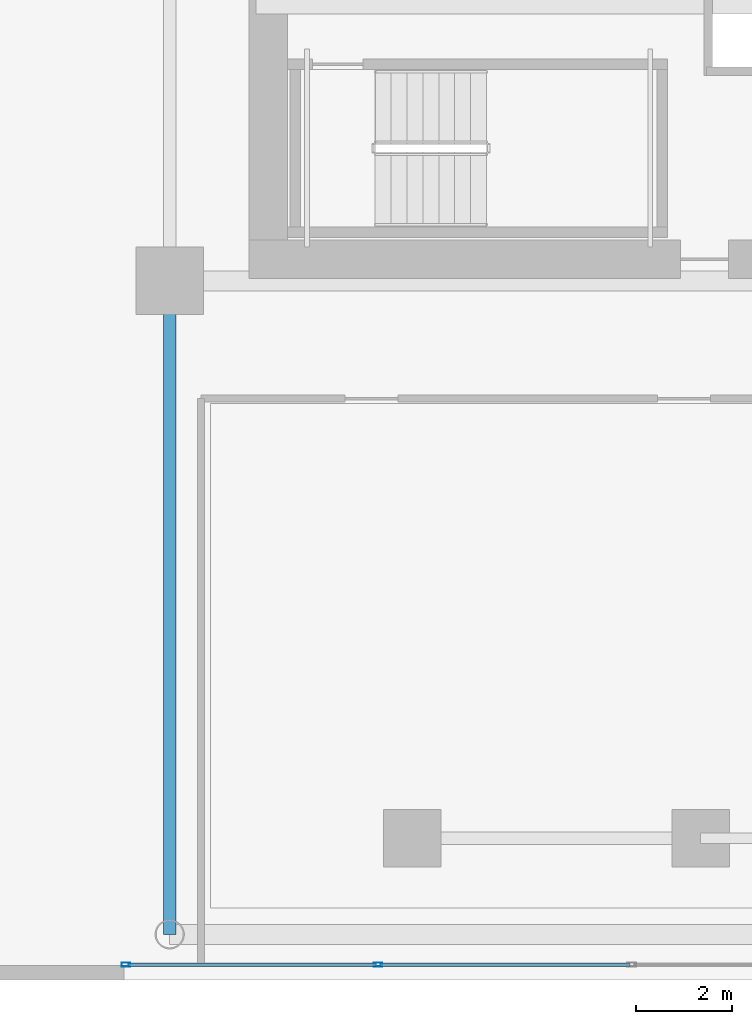
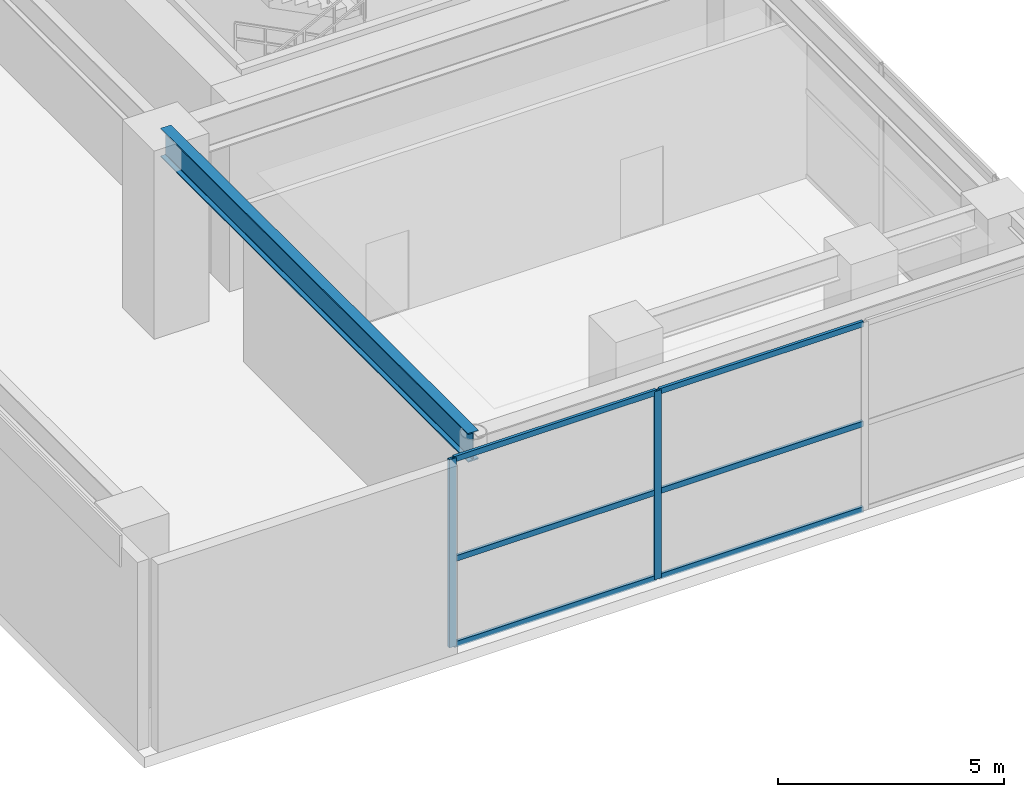
# One storey, part 3 of 29: 8 members, 1 beam, 1 element without a shape of its own.
"""IFC4 building model written with IfcOpenShell, lengths in metres."""

from ifc_helpers import new_model, si_unit, direction, frame, origin, origin_2d, place, context, subcontext, project, spatial, hollow_rectangle, i_section, extrude, source, transform, mapped, material, layer, layer_set, material_profile, profile_set, type_object, element, aggregate, save


model = new_model("IFC4")

# Units and contexts
model_context = context("Model", 3, precision=1e-05, world=origin(), true_north=direction((0.0, 1.0)))
body_context = subcontext(model_context, "Body", "Model", "MODEL_VIEW")
ifc_project = project(units=[si_unit("LENGTHUNIT", "METRE"), si_unit("AREAUNIT", "SQUARE_METRE"), si_unit("VOLUMEUNIT", "CUBIC_METRE"), si_unit("PLANEANGLEUNIT", "RADIAN"), si_unit("MASSUNIT", "GRAM", prefix="KILO")], contexts=[model_context])

# Site, building, storey
site_placement = place(None, origin())
site = spatial("IfcSite", under=ifc_project, at=site_placement, CompositionType="ELEMENT")
building_placement = place(site_placement, origin())
building = spatial("IfcBuilding", under=site, at=building_placement, Name="Ocotamira Hotel", CompositionType="ELEMENT")
storey_placement = place(building_placement, frame((0.0, 0.0, 6.0)))
storey = spatial("IfcBuildingStorey", under=building, at=storey_placement, Name="L02", CompositionType="ELEMENT", Elevation=6.0)

# Beam
ifc_material_1 = material(Name="Steel ASTM A992 Grade 50", Category="steel")
ifc_material_profile_1 = material_profile(ifc_material_1, i_section(OverallWidth=0.26611328125, OverallDepth=0.779052734375, WebThickness=0.0166015625, FlangeThickness=0.030029296875, FilletRadius=0.01806640625, at=origin_2d()), Name="W30X148")
ifc_profile_set_1 = profile_set([ifc_material_profile_1], Name="Steel ASTM A992 Grade 50")
beam_type = type_object("IfcBeamType", Name="BM-GIRD-W30X148", PredefinedType="BEAM", material=ifc_profile_set_1)
shared_shape_1 = source(origin(), body_context, "Body", "SweptSolid", [
    extrude(i_section(OverallWidth=0.26611328125, OverallDepth=0.779052734375, WebThickness=0.0166015625, FlangeThickness=0.030029296875, FilletRadius=0.01806640625, at=origin_2d()), origin(), (0.0, 0.0, 1.0), 13.60009765625),
])
beam_placement = place(storey_placement, frame((8.949951171875, 0.949951171875, 4.6904296875), z_axis=(0.0, 1.0, 0.0), x_axis=(-1.0, 0.0, 0.0)))
element("IfcBeam", 1, at=beam_placement, inside=storey, type_object=beam_type, Name="L02 Beam X8.95 Y0.95-14.55", PredefinedType="BEAM", context=body_context, shape_type="MappedRepresentation", body=[
    mapped(shared_shape_1, transform((0.0, 0.0, 0.0), scale=1.0)),
])

# Curtain wall, members
ifc_material_2 = material(Name="Anodised pale-metal aluminium and solar glass", Category="aluminium")
ifc_layer = layer(ifc_material_2, 0.219970703125)
ifc_layer_set = layer_set([ifc_layer], Name="Anodised pale-metal aluminium and solar glass")
curtain_wall_type = type_object("IfcCurtainWallType", Name="CW-SYS1-POD", PredefinedType="NOTDEFINED", material=ifc_layer_set)
curtain_wall_placement = place(storey_placement, origin())
curtain_wall = element("IfcCurtainWall", 2, at=curtain_wall_placement, inside=storey, type_object=curtain_wall_type, Name="L02 Curtain Wall CW-1 CW-L02-SW", PredefinedType="NOTDEFINED")
ifc_material_3 = material(Name="Anodised pale-metal aluminium 6063-T6", Category="aluminium")
ifc_material_profile_2 = material_profile(ifc_material_3, hollow_rectangle(XDim=0.080078125, YDim=0.179931640625, WallThickness=0.006103515625, at=origin_2d()), Name="HSS180X80X6")
ifc_profile_set_2 = profile_set([ifc_material_profile_2], Name="Anodised pale-metal aluminium 6063-T6")
member_type_1 = type_object("IfcMemberType", Name="CWM-180X75", PredefinedType="MULLION", material=ifc_profile_set_2)
shared_shape_2 = source(origin(), body_context, "Body", "SweptSolid", [
    extrude(hollow_rectangle(XDim=0.080078125, YDim=0.179931640625, WallThickness=0.006103515625, at=origin_2d()), origin(), (0.0, 0.0, 1.0), 5.080078125),
])
member_1_placement = place(storey_placement, frame((8.0400390625, 0.320068359375, 0.0), z_axis=(0.0, 0.0, 1.0), x_axis=(0.0, 1.0, 0.0)))
member_1 = element("IfcMember", 3, at=member_1_placement, type_object=member_type_1, Name="CW-1 mullion 1", PredefinedType="MULLION", context=body_context, shape_type="MappedRepresentation", body=[
    mapped(shared_shape_2, transform((0.0, 0.0, 0.0), scale=1.0)),
])
member_2_placement = place(storey_placement, frame((13.283447265625, 0.320068359375, 0.0), z_axis=(0.0, 0.0, 1.0), x_axis=(0.0, 1.0, 0.0)))
member_2 = element("IfcMember", 4, at=member_2_placement, type_object=member_type_1, Name="CW-1 mullion 2", PredefinedType="MULLION", context=body_context, shape_type="MappedRepresentation", body=[
    mapped(shared_shape_2, transform((0.0, 0.0, 0.0), scale=1.0)),
])
ifc_material_profile_3 = material_profile(ifc_material_3, hollow_rectangle(XDim=0.074951171875, YDim=0.14990234375, WallThickness=0.006103515625, at=origin_2d()), Name="HSS150X75X6")
ifc_profile_set_3 = profile_set([ifc_material_profile_3], Name="Anodised pale-metal aluminium 6063-T6")
member_type_2 = type_object("IfcMemberType", Name="CWT-150X75", PredefinedType="USERDEFINED", material=ifc_profile_set_3)
shared_shape_3 = source(origin(), body_context, "Body", "SweptSolid", [
    extrude(hollow_rectangle(XDim=0.074951171875, YDim=0.14990234375, WallThickness=0.006103515625, at=origin_2d()), origin(), (0.0, 0.0, 1.0), 5.163330078125),
])
member_3_placement = place(storey_placement, frame((8.080078125, 0.320068359375, 0.03759765625), z_axis=(1.0, 0.0, 0.0), x_axis=(0.0, 1.0, 0.0)))
member_3 = element("IfcMember", 5, at=member_3_placement, type_object=member_type_2, Name="CW-1 transom 1.1", ObjectType="TRANSOM", PredefinedType="USERDEFINED", context=body_context, shape_type="MappedRepresentation", body=[
    mapped(shared_shape_3, transform((0.0, 0.0, 0.0), scale=1.0)),
])
member_4_placement = place(storey_placement, frame((8.080078125, 0.320068359375, 2.35009765625), z_axis=(1.0, 0.0, 0.0), x_axis=(0.0, 1.0, 0.0)))
member_4 = element("IfcMember", 6, at=member_4_placement, type_object=member_type_2, Name="CW-1 transom 1.2", ObjectType="TRANSOM", PredefinedType="USERDEFINED", context=body_context, shape_type="MappedRepresentation", body=[
    mapped(shared_shape_3, transform((0.0, 0.0, 0.0), scale=1.0)),
])
member_5_placement = place(storey_placement, frame((8.080078125, 0.320068359375, 5.04248046875), z_axis=(1.0, 0.0, 0.0), x_axis=(0.0, 1.0, 0.0)))
member_5 = element("IfcMember", 7, at=member_5_placement, type_object=member_type_2, Name="CW-1 transom 1.3", ObjectType="TRANSOM", PredefinedType="USERDEFINED", context=body_context, shape_type="MappedRepresentation", body=[
    mapped(shared_shape_3, transform((0.0, 0.0, 0.0), scale=1.0)),
])
shared_shape_4 = source(origin(), body_context, "Body", "SweptSolid", [
    extrude(hollow_rectangle(XDim=0.074951171875, YDim=0.14990234375, WallThickness=0.006103515625, at=origin_2d()), origin(), (0.0, 0.0, 1.0), 5.203369140625),
])
member_6_placement = place(storey_placement, frame((13.3232421875, 0.320068359375, 0.03759765625), z_axis=(1.0, 0.0, 0.0), x_axis=(0.0, 1.0, 0.0)))
member_6 = element("IfcMember", 8, at=member_6_placement, type_object=member_type_2, Name="CW-1 transom 2.1", ObjectType="TRANSOM", PredefinedType="USERDEFINED", context=body_context, shape_type="MappedRepresentation", body=[
    mapped(shared_shape_4, transform((0.0, 0.0, 0.0), scale=1.0)),
])
member_7_placement = place(storey_placement, frame((13.3232421875, 0.320068359375, 2.35009765625), z_axis=(1.0, 0.0, 0.0), x_axis=(0.0, 1.0, 0.0)))
member_7 = element("IfcMember", 9, at=member_7_placement, type_object=member_type_2, Name="CW-1 transom 2.2", ObjectType="TRANSOM", PredefinedType="USERDEFINED", context=body_context, shape_type="MappedRepresentation", body=[
    mapped(shared_shape_4, transform((0.0, 0.0, 0.0), scale=1.0)),
])
member_8_placement = place(storey_placement, frame((13.3232421875, 0.320068359375, 5.04248046875), z_axis=(1.0, 0.0, 0.0), x_axis=(0.0, 1.0, 0.0)))
member_8 = element("IfcMember", 10, at=member_8_placement, type_object=member_type_2, Name="CW-1 transom 2.3", ObjectType="TRANSOM", PredefinedType="USERDEFINED", context=body_context, shape_type="MappedRepresentation", body=[
    mapped(shared_shape_4, transform((0.0, 0.0, 0.0), scale=1.0)),
])
aggregate(curtain_wall, [member_1, member_2, member_3, member_4, member_5, member_6, member_7, member_8])

save(model, "model.ifc")
